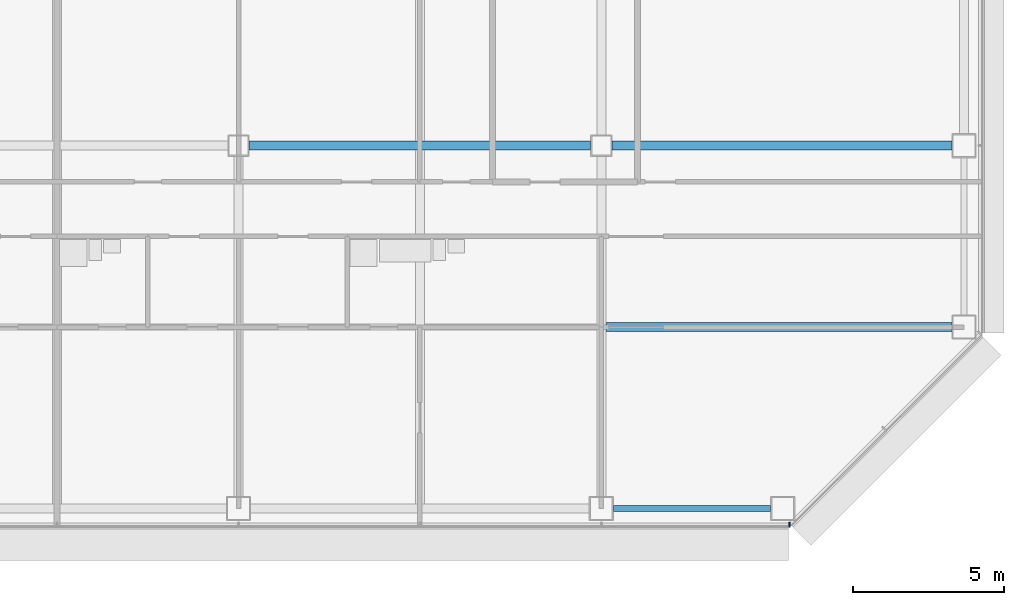
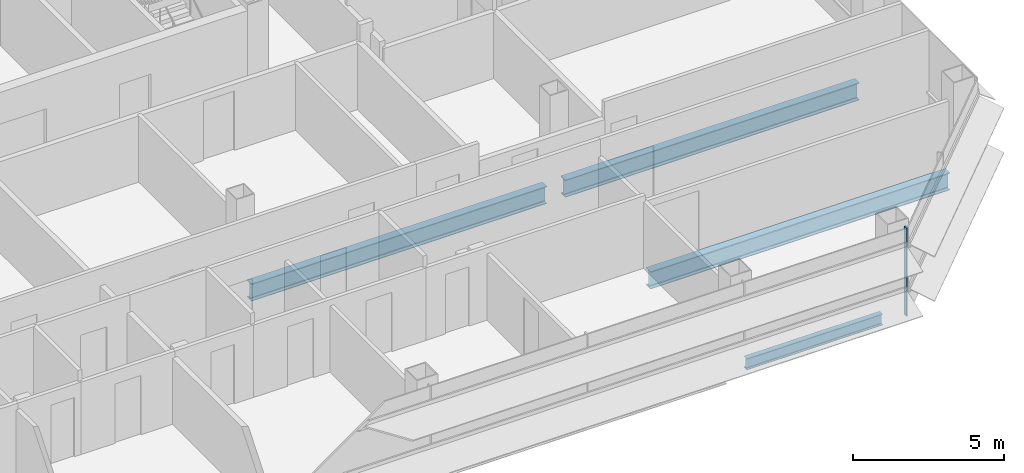
# One storey, part 9 of 26: 4 beams, 1 member, 1 element without a shape of its own.
"""IFC4 building model written with IfcOpenShell, lengths in metres."""

from ifc_helpers import new_model, si_unit, direction, frame, origin, origin_2d, place, context, subcontext, project, spatial, rectangle, i_section, extrude, material, material_profile, profile_set, type_object, element, aggregate, save


model = new_model("IFC4")

# Units and contexts
model_context = context("Model", 3, precision=1e-05, world=origin(), true_north=direction((0.0, 1.0)))
body_context = subcontext(model_context, "Body", "Model", "MODEL_VIEW")
ifc_project = project(units=[si_unit("LENGTHUNIT", "METRE"), si_unit("AREAUNIT", "SQUARE_METRE"), si_unit("VOLUMEUNIT", "CUBIC_METRE"), si_unit("PLANEANGLEUNIT", "RADIAN"), si_unit("MASSUNIT", "GRAM", prefix="KILO")], contexts=[model_context])

# Site, building, storey
site_placement = place(None, origin())
site = spatial("IfcSite", under=ifc_project, at=site_placement, CompositionType="ELEMENT")
building_placement = place(site_placement, origin())
building = spatial("IfcBuilding", under=site, at=building_placement, Name="Sorahane Residences", CompositionType="ELEMENT")
storey_placement = place(building_placement, frame((0.0, 0.0, 110.60009765625)))
storey = spatial("IfcBuildingStorey", under=building, at=storey_placement, Name="L24", CompositionType="ELEMENT", Elevation=110.60009765625)

# Curtain wall, member
ifc_material_1 = material(Name="Dark low-e glass and black anodised aluminium", Category="aluminium")
curtain_wall_type = type_object("IfcCurtainWallType", Name="Curtain wall CW-1 Typical unitised wall", PredefinedType="NOTDEFINED", material=ifc_material_1)
curtain_wall_placement = place(storey_placement, origin())
curtain_wall = element("IfcCurtainWall", 1, at=curtain_wall_placement, inside=storey, type_object=curtain_wall_type, Name="CW-1 curtain wall L24 S1", PredefinedType="NOTDEFINED")
ifc_material_2 = material(Name="Black anodised aluminium", Category="aluminium")
ifc_material_profile_1 = material_profile(ifc_material_2, rectangle(XDim=0.159912109375, YDim=0.050048828125, at=origin_2d()), Name="Curtain wall mullion CW-1 black anodised aluminium 50x160")
ifc_profile_set_1 = profile_set([ifc_material_profile_1], Name="Black anodised aluminium")
member_type = type_object("IfcMemberType", Name="Curtain wall mullion CW-1 black anodised aluminium 50x160", PredefinedType="MULLION", material=ifc_profile_set_1)
member_placement = place(storey_placement, frame((54.2236328125, -0.5400390625, -0.18017578125), z_axis=(0.0, 0.0, 1.0), x_axis=(0.0, -1.0, 0.0)))
member = element("IfcMember", 2, at=member_placement, type_object=member_type, Name="CW-1 mullion L24 S1.10", PredefinedType="MULLION", context=body_context, shape_type="SweptSolid", body=[
    extrude(rectangle(XDim=0.159912109375, YDim=0.050048828125, at=origin_2d()), origin(), (0.0, 0.0, 1.0), 3.56005859375),
])
aggregate(curtain_wall, [member])

# Beams
ifc_material_3 = material(Name="Steel Q355B", Category="steel")
ifc_material_profile_2 = material_profile(ifc_material_3, i_section(OverallWidth=0.199951171875, OverallDepth=0.449951171875, WebThickness=0.009033203125, FlangeThickness=0.013916015625, FilletRadius=0.02001953125, at=origin_2d()), Name="HN 450x200x9x14")
ifc_profile_set_2 = profile_set([ifc_material_profile_2], Name="Steel Q355B")
beam_type_1 = type_object("IfcBeamType", Name="Steel floor beam HN 450x200x9x14 Q355B", PredefinedType="BEAM", material=ifc_profile_set_2)
beam_1_placement = place(storey_placement, frame((48.39990234375, 0.0, -0.405029296875), z_axis=(1.0, 0.0, 0.0), x_axis=(0.0, 1.0, 0.0)))
element("IfcBeam", 3, at=beam_1_placement, inside=storey, type_object=beam_type_1, Name="Beam L24 004", PredefinedType="BEAM", context=body_context, shape_type="SweptSolid", body=[
    extrude(i_section(OverallWidth=0.199951171875, OverallDepth=0.449951171875, WebThickness=0.009033203125, FlangeThickness=0.013916015625, FilletRadius=0.02001953125, at=origin_2d()), origin(), (0.0, 0.0, 1.0), 5.2001953125),
])
ifc_material_4 = material(Name="Steel Q355B", Category="steel")
ifc_material_profile_3 = material_profile(ifc_material_4, i_section(OverallWidth=0.300048828125, OverallDepth=0.699951171875, WebThickness=0.012939453125, FlangeThickness=0.02392578125, FilletRadius=0.028076171875, at=origin_2d()), Name="HN 700x300x13x24")
ifc_profile_set_3 = profile_set([ifc_material_profile_3], Name="Steel Q355B")
beam_type_2 = type_object("IfcBeamType", Name="Steel floor beam HN 700x300x13x24 Q355B", PredefinedType="BEAM", material=ifc_profile_set_3)
beam_2_placement = place(storey_placement, frame((36.35009765625, 12.0, -0.530029296875), z_axis=(1.0, 0.0, 0.0), x_axis=(0.0, 1.0, 0.0)))
element("IfcBeam", 4, at=beam_2_placement, inside=storey, type_object=beam_type_2, Name="Beam L24 009", PredefinedType="BEAM", context=body_context, shape_type="SweptSolid", body=[
    extrude(i_section(OverallWidth=0.300048828125, OverallDepth=0.699951171875, WebThickness=0.012939453125, FlangeThickness=0.02392578125, FilletRadius=0.028076171875, at=origin_2d()), origin(), (0.0, 0.0, 1.0), 11.2998046875),
])
beam_3_placement = place(storey_placement, frame((48.35009765625, 12.0, -0.530029296875), z_axis=(1.0, 0.0, 0.0), x_axis=(0.0, 1.0, 0.0)))
element("IfcBeam", 5, at=beam_3_placement, inside=storey, type_object=beam_type_2, Name="Beam L24 010", PredefinedType="BEAM", context=body_context, shape_type="SweptSolid", body=[
    extrude(i_section(OverallWidth=0.300048828125, OverallDepth=0.699951171875, WebThickness=0.012939453125, FlangeThickness=0.02392578125, FilletRadius=0.028076171875, at=origin_2d()), origin(), (0.0, 0.0, 1.0), 11.25),
])
beam_4_placement = place(storey_placement, frame((48.14990234375, 6.0, -0.530029296875), z_axis=(1.0, 0.0, 0.0), x_axis=(0.0, 1.0, 0.0)))
element("IfcBeam", 6, at=beam_4_placement, inside=storey, type_object=beam_type_2, Name="Beam L24 077", PredefinedType="BEAM", context=body_context, shape_type="SweptSolid", body=[
    extrude(i_section(OverallWidth=0.300048828125, OverallDepth=0.699951171875, WebThickness=0.012939453125, FlangeThickness=0.02392578125, FilletRadius=0.028076171875, at=origin_2d()), origin(), (0.0, 0.0, 1.0), 11.4501953125),
])

save(model, "model.ifc")
